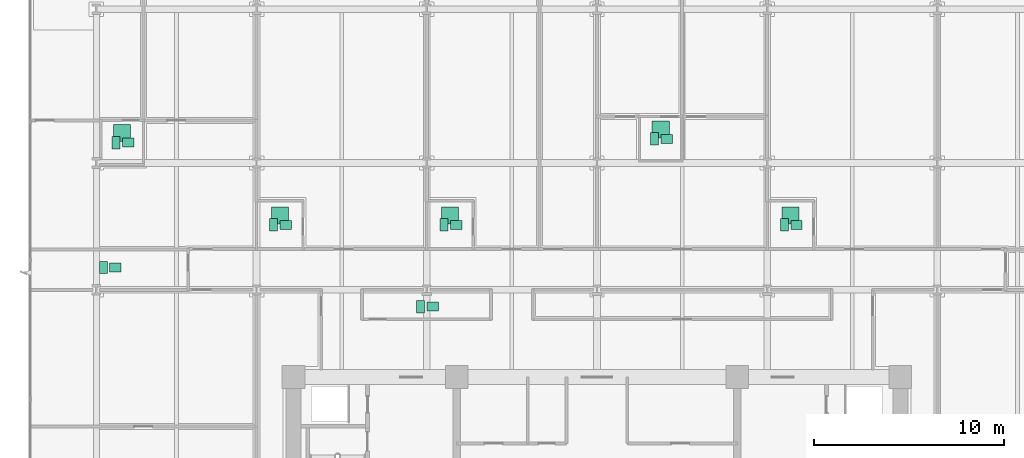
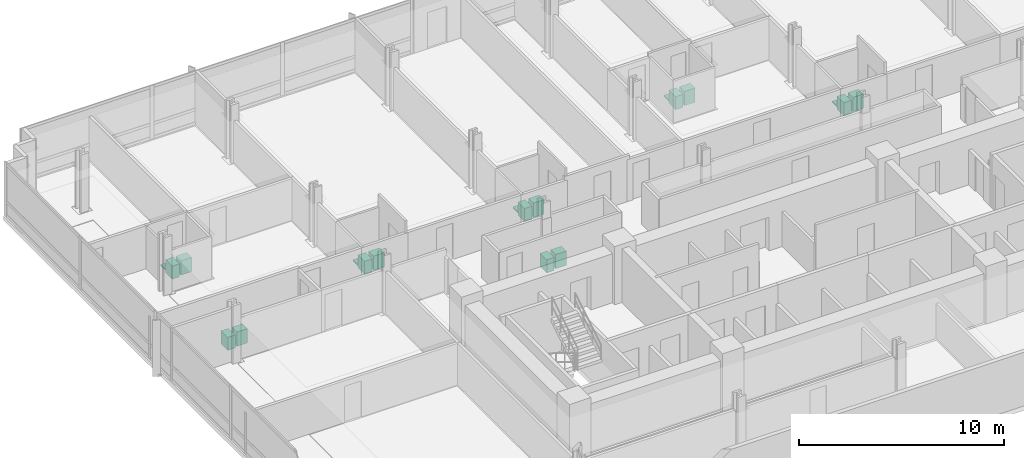
# One storey, part 16 of 16: 19 sanitary terminals.
"""IFC4 building model written with IfcOpenShell, lengths in metres."""

from ifc_helpers import new_model, si_unit, direction, frame, origin, origin_2d, place, context, subcontext, project, spatial, rectangle, extrude, material, type_object, element, save


model = new_model("IFC4")

# Units and contexts
model_context = context("Model", 3, precision=1e-05, world=origin(), true_north=direction((0.0, 1.0)))
body_context = subcontext(model_context, "Body", "Model", "MODEL_VIEW")
ifc_project = project(units=[si_unit("LENGTHUNIT", "METRE"), si_unit("AREAUNIT", "SQUARE_METRE"), si_unit("VOLUMEUNIT", "CUBIC_METRE"), si_unit("PLANEANGLEUNIT", "RADIAN"), si_unit("MASSUNIT", "GRAM", prefix="KILO")], contexts=[model_context])

# Site, building, storey
site_placement = place(None, origin())
site = spatial("IfcSite", under=ifc_project, at=site_placement, CompositionType="ELEMENT")
building_placement = place(site_placement, origin())
building = spatial("IfcBuilding", under=site, at=building_placement, Name="Solmavex Isthmus Hotel", CompositionType="ELEMENT")
storey_placement = place(building_placement, frame((0.0, 0.0, 36.75)))
storey = spatial("IfcBuildingStorey", under=building, at=storey_placement, Name="L09", CompositionType="ELEMENT", Elevation=36.75)

# Sanitary terminals
ifc_material = material(Name="Vitreous china ceramic", Category="ceramic")
sanitary_terminal_type_1 = type_object("IfcSanitaryTerminalType", Name="SAN-BASIN", PredefinedType="WASHHANDBASIN", material=ifc_material)
for number, where, z_axis, x_axis, name in (
    (1, (-24.720947265625, 9.863037109375, 0.0), (0.0, 0.0, 1.0), (1.0, 0.0, 0.0), "Vanity Washbasin L09-35"),
    (2, (-16.406982421875, 5.52490234375, 0.0), (0.0, 0.0, 1.0), (1.0, 0.0, 0.0), "Vanity Washbasin L09-36"),
    (3, (-7.430908203125, 5.52490234375, 0.0), (0.0, 0.0, 1.0), (1.0, 0.0, 0.0), "Vanity Washbasin L09-37"),
    (4, (3.68310546875, 10.06298828125, 0.0), (0.0, 0.0, 1.0), (1.0, 0.0, 0.0), "Vanity Washbasin L09-38"),
    (5, (10.52099609375, 5.52490234375, 0.0), (0.0, 0.0, 1.0), (1.0, 0.0, 0.0), "Vanity Washbasin L09-39"),
    (6, (-8.666015625, 1.21240234375, 0.0), (0.0, 0.0, 1.0), (1.0, 0.0, 0.0), "Vanity Washbasin L09-40"),
    (7, (-25.39599609375, 3.277587890625, 0.0), (0.0, 0.0, 1.0), (1.0, 0.0, 0.0), "Vanity Washbasin L09-41"),
):
    element("IfcSanitaryTerminal", number, at=place(storey_placement, frame(where, z_axis=z_axis, x_axis=x_axis)), inside=storey, type_object=sanitary_terminal_type_1, Name=name, PredefinedType="WASHHANDBASIN", context=body_context, shape_type="SweptSolid", body=[
        extrude(rectangle(XDim=0.60009765625, YDim=0.47998046875, at=origin_2d()), origin(), (0.0, 0.0, 1.0), 0.85009765625),
    ])
sanitary_terminal_type_2 = type_object("IfcSanitaryTerminalType", Name="SAN-SHOWER", PredefinedType="SHOWER", material=ifc_material)
for number, where, z_axis, x_axis, name in (
    (8, (-25.041015625, 10.363037109375, 0.0), (0.0, 0.0, 1.0), (1.0, 0.0, 0.0), "Walk-In Shower L09-35"),
    (9, (-16.72705078125, 6.02490234375, 0.0), (0.0, 0.0, 1.0), (1.0, 0.0, 0.0), "Walk-In Shower L09-36"),
    (10, (-7.7509765625, 6.02490234375, 0.0), (0.0, 0.0, 1.0), (1.0, 0.0, 0.0), "Walk-In Shower L09-37"),
    (11, (3.363037109375, 10.56298828125, 0.0), (0.0, 0.0, 1.0), (1.0, 0.0, 0.0), "Walk-In Shower L09-38"),
    (12, (10.200927734375, 6.02490234375, 0.0), (0.0, 0.0, 1.0), (1.0, 0.0, 0.0), "Walk-In Shower L09-39"),
):
    element("IfcSanitaryTerminal", number, at=place(storey_placement, frame(where, z_axis=z_axis, x_axis=x_axis)), inside=storey, type_object=sanitary_terminal_type_2, Name=name, PredefinedType="SHOWER", context=body_context, shape_type="SweptSolid", body=[
        extrude(rectangle(XDim=0.89990234375, YDim=0.89990234375, at=origin_2d()), origin(), (0.0, 0.0, 1.0), 0.080078125),
    ])
sanitary_terminal_type_3 = type_object("IfcSanitaryTerminalType", Name="SAN-WC-SUITE", PredefinedType="TOILETPAN", material=ifc_material)
for number, where, z_axis, x_axis, name in (
    (13, (-25.361083984375, 9.863037109375, 0.0), (0.0, 0.0, 1.0), (1.0, 0.0, 0.0), "Water Closet L09-35"),
    (14, (-17.047119140625, 5.52490234375, 0.0), (0.0, 0.0, 1.0), (1.0, 0.0, 0.0), "Water Closet L09-36"),
    (15, (-8.071044921875, 5.52490234375, 0.0), (0.0, 0.0, 1.0), (1.0, 0.0, 0.0), "Water Closet L09-37"),
    (16, (3.04296875, 10.06298828125, 0.0), (0.0, 0.0, 1.0), (1.0, 0.0, 0.0), "Water Closet L09-38"),
    (17, (9.881103515625, 5.52490234375, 0.0), (0.0, 0.0, 1.0), (1.0, 0.0, 0.0), "Water Closet L09-39"),
    (18, (-9.305908203125, 1.21240234375, 0.0), (0.0, 0.0, 1.0), (1.0, 0.0, 0.0), "Water Closet L09-40"),
    (19, (-26.035888671875, 3.277587890625, 0.0), (0.0, 0.0, 1.0), (1.0, 0.0, 0.0), "Water Closet L09-41"),
):
    element("IfcSanitaryTerminal", number, at=place(storey_placement, frame(where, z_axis=z_axis, x_axis=x_axis)), inside=storey, type_object=sanitary_terminal_type_3, Name=name, PredefinedType="TOILETPAN", context=body_context, shape_type="SweptSolid", body=[
        extrude(rectangle(XDim=0.419921875, YDim=0.64990234375, at=origin_2d()), origin(), (0.0, 0.0, 1.0), 0.780029296875),
    ])

save(model, "model.ifc")
